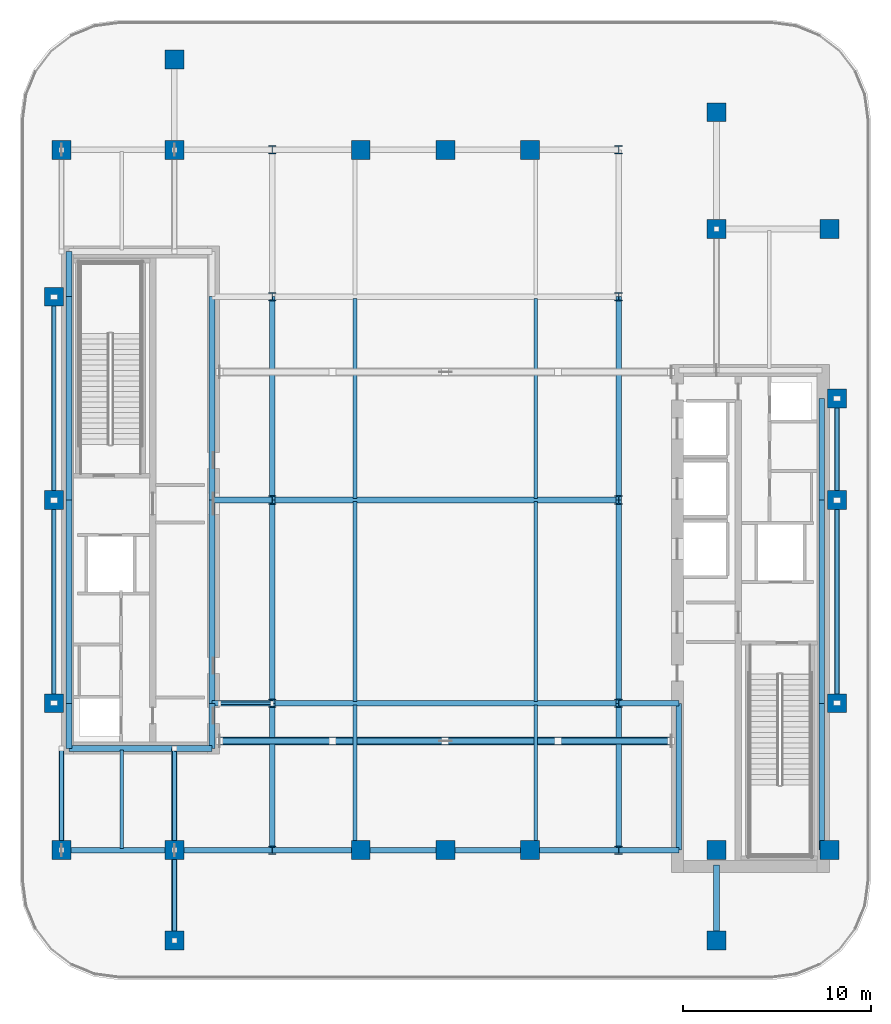
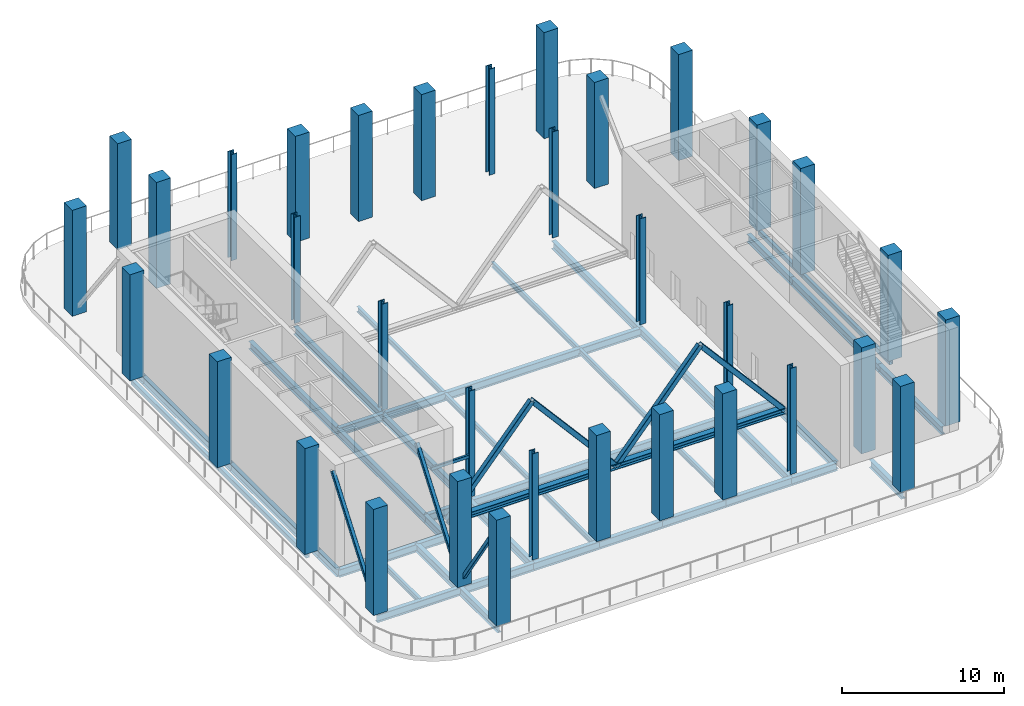
# One storey, part 1 of 12: 46 beams, 34 columns, 8 members.
"""IFC4 building model written with IfcOpenShell, lengths in metres."""

import ifcopenshell
import ifcopenshell.guid

model = None  # the IFC model being written
_history = None  # IfcOwnerHistory: only IFC2X3 demands one
_inside = {}  # id of a spatial element -> (the spatial element, [elements in it])
_under = {}  # id of a project, library or spatial element -> (it, [spatial elements below it])
_declared = {}  # id of a project -> (the project, [libraries it declares])
_typed = {}  # id of a type object -> (the type object, [elements of that type])
_made_of = {}  # id of a material, layer set ... -> (it, [elements and type objects made of it])


def new_model(schema):
    """Start an empty IFC model of exactly this schema.

    Asked for "IFC4X3", IfcOpenShell would pick the latest addendum, in which some entities
    have other attributes; the version numbers below select the first issue.
    IFC2X3 requires an IfcOwnerHistory on every rooted entity: one is made here for all.
    """
    global model, _history
    if schema == "IFC4X3":
        model = ifcopenshell.file(schema_version=(4, 3, 0, 0))
    else:
        model = ifcopenshell.file(schema=schema)
    _inside.clear()
    _under.clear()
    _declared.clear()
    _typed.clear()
    _made_of.clear()
    _history = None
    if model.schema == "IFC2X3":
        org = make("IfcOrganization", Name="unknown")
        user = make(
            "IfcPersonAndOrganization",
            ThePerson=make("IfcPerson", FamilyName="unknown"),
            TheOrganization=org,
        )
        app = make(
            "IfcApplication",
            ApplicationDeveloper=org,
            Version="unknown",
            ApplicationFullName="unknown",
            ApplicationIdentifier="unknown",
        )
        _history = make(
            "IfcOwnerHistory",
            OwningUser=user,
            OwningApplication=app,
            ChangeAction="ADDED",
            CreationDate=0,
        )
    return model


def make(cls, **values):
    """One entity of the class cls with the attributes given. An attribute that is None is left unset."""
    return model.create_entity(
        cls, **{name: value for name, value in values.items() if value is not None}
    )


def rooted(cls, **values):
    """An entity with a GlobalId (a new one), such as an element, a storey or a relation."""
    return make(cls, GlobalId=ifcopenshell.guid.new(), OwnerHistory=_history, **values)


def si_unit(unit_type, name, prefix=None):
    """IfcSIUnit, for example si_unit("LENGTHUNIT", "METRE", prefix="MILLI")."""
    return make("IfcSIUnit", UnitType=unit_type, Prefix=prefix, Name=name)


def assignment(units):
    """IfcUnitAssignment: the units of a project."""
    return None if units is None else make("IfcUnitAssignment", Units=units)


def point(xyz):
    """IfcCartesianPoint."""
    return None if xyz is None else make("IfcCartesianPoint", Coordinates=xyz)


def direction(xyz):
    """IfcDirection."""
    return None if xyz is None else make("IfcDirection", DirectionRatios=xyz)


def frame(location, z_axis=None, x_axis=None):
    """IfcAxis2Placement3D, a coordinate frame: its origin and axes. An axis left out is left unset."""
    return make(
        "IfcAxis2Placement3D",
        Location=point(location),
        Axis=direction(z_axis),
        RefDirection=direction(x_axis),
    )


def frame_2d(location, x_axis=None):
    """IfcAxis2Placement2D, a coordinate frame in the plane: its origin and x axis."""
    return make(
        "IfcAxis2Placement2D", Location=point(location), RefDirection=direction(x_axis)
    )


def origin():
    """The frame at (0, 0, 0) with its axes left unset."""
    return frame((0.0, 0.0, 0.0))


def origin_2d():
    """The frame at (0, 0) in the plane with its x axis left unset."""
    return frame_2d((0.0, 0.0))


def place(relative_to, where):
    """IfcLocalPlacement: puts the frame where relative to a parent placement (None: the world)."""
    return make(
        "IfcLocalPlacement", PlacementRelTo=relative_to, RelativePlacement=where
    )


def context(
    kind, dimensions, precision=None, world=None, true_north=None, identifier=None
):
    """IfcGeometricRepresentationContext, for example the 3D "Model" context."""
    return make(
        "IfcGeometricRepresentationContext",
        ContextIdentifier=identifier,
        ContextType=kind,
        CoordinateSpaceDimension=dimensions,
        Precision=precision,
        WorldCoordinateSystem=world,
        TrueNorth=true_north,
    )


def subcontext(parent, identifier, kind, view, scale=None):
    """IfcGeometricRepresentationSubContext, for example "Body" below "Model"."""
    return make(
        "IfcGeometricRepresentationSubContext",
        ContextIdentifier=identifier,
        ContextType=kind,
        ParentContext=parent,
        TargetScale=scale,
        TargetView=view,
    )


def project(units=None, contexts=None):
    """IfcProject with its units and contexts."""
    return rooted(
        "IfcProject",
        Name="project",
        RepresentationContexts=contexts,
        UnitsInContext=assignment(units),
    )


def spatial(cls, under=None, at=None, **own):
    """A site, building, storey or space (cls), placed at a placement, below another one or the project."""
    s = rooted(cls, ObjectPlacement=at, **own)
    if under is not None:
        _under.setdefault(under.id(), (under, []))[1].append(s)
    return s


def profile(cls, at=None, kind="AREA", **sizes):
    """A parametric profile (cls). Its sizes go by their IFC names, for example OverallWidth=200.0."""
    return make(cls, ProfileType=kind, Position=at, **sizes)


def rectangle(**sizes):
    """IfcRectangleProfileDef."""
    return profile("IfcRectangleProfileDef", **sizes)


def hollow_rectangle(**sizes):
    """IfcRectangleHollowProfileDef."""
    return profile("IfcRectangleHollowProfileDef", **sizes)


def i_section(**sizes):
    """IfcIShapeProfileDef."""
    return profile("IfcIShapeProfileDef", **sizes)


def extrude(swept, where, along, depth):
    """IfcExtrudedAreaSolid: the profile swept, set in the frame where, extruded along a direction by depth."""
    return make(
        "IfcExtrudedAreaSolid",
        SweptArea=swept,
        Position=where,
        ExtrudedDirection=direction(along),
        Depth=depth,
    )


def shape(context_of_items, identifier, shape_type, items):
    """IfcShapeRepresentation: the items that make up one representation, for example the "Body"."""
    return make(
        "IfcShapeRepresentation",
        ContextOfItems=context_of_items,
        RepresentationIdentifier=identifier,
        RepresentationType=shape_type,
        Items=items,
    )


def material(Name=None, Category=None):
    """IfcMaterial."""
    return make("IfcMaterial", Name=Name, Category=Category)


def material_profile(
    of_material, cross_section, Name=None, Category=None, Priority=None
):
    """IfcMaterialProfile: a cross section and its material."""
    return make(
        "IfcMaterialProfile",
        Name=Name,
        Material=of_material,
        Profile=cross_section,
        Priority=Priority,
        Category=Category,
    )


def profile_set(profiles, Name=None, composite=None):
    """IfcMaterialProfileSet."""
    return make(
        "IfcMaterialProfileSet",
        Name=Name,
        MaterialProfiles=profiles,
        CompositeProfile=composite,
    )


def made_of(thing, what):
    """Note that an element or type object is made of a material, layer set ...; save() writes the relation."""
    if what is not None:
        _made_of.setdefault(what.id(), (what, []))[1].append(thing)
    return thing


def type_object(cls, material=None, **own):
    """A type object (cls), such as IfcWallType, which elements share."""
    return made_of(rooted(cls, **own), material)


def element(
    cls,
    number,
    at=None,
    inside=None,
    cuts=None,
    type_object=None,
    material=None,
    context=None,
    identifier="Body",
    shape_type=None,
    held_by="IfcProductDefinitionShape",
    body=None,
    shapes=None,
    **own,
):
    """One element of the class cls, such as IfcWall. Its Tag is "e" and its number.

    at: its placement. inside: the storey or other place that contains it. cuts: it is an
    opening in that element (IfcRelVoidsElement). A single representation is given by context,
    identifier, shape_type and body (its items); several are given by shapes. held_by: the class
    of the entity that holds the representations. save() writes the other relations.
    """
    e = rooted(cls, Tag="e%d" % number, ObjectPlacement=at, **own)
    if body is not None:
        shapes = [shape(context, identifier, shape_type, body)]
    if shapes is not None:
        e.Representation = make(held_by, Representations=shapes)
    if inside is not None:
        _inside.setdefault(inside.id(), (inside, []))[1].append(e)
    if cuts is not None:
        rooted(
            "IfcRelVoidsElement", RelatingBuildingElement=cuts, RelatedOpeningElement=e
        )
    if type_object is not None:
        _typed.setdefault(type_object.id(), (type_object, []))[1].append(e)
    return made_of(e, material)


def aggregate(whole, parts):
    """IfcRelAggregates: a whole, such as a stair, and the parts it consists of."""
    return rooted("IfcRelAggregates", RelatingObject=whole, RelatedObjects=parts)


def save(model, path):
    """Write the relations noted so far, then the file.

    IfcRelAggregates (storeys below a building ...), IfcRelContainedInSpatialStructure (elements
    in a storey), IfcRelDefinesByType, IfcRelAssociatesMaterial and IfcRelDeclares: one each for
    every whole, place, type object, material and project.
    """
    for whole, parts in _under.values():
        aggregate(whole, parts)
    for where, things in _inside.values():
        rooted(
            "IfcRelContainedInSpatialStructure",
            RelatedElements=things,
            RelatingStructure=where,
        )
    for kind, things in _typed.values():
        rooted("IfcRelDefinesByType", RelatedObjects=things, RelatingType=kind)
    for what, things in _made_of.values():
        rooted("IfcRelAssociatesMaterial", RelatedObjects=things, RelatingMaterial=what)
    for by, libraries in _declared.values():
        rooted("IfcRelDeclares", RelatingContext=by, RelatedDefinitions=libraries)
    model.write(path)


model = new_model("IFC4")

# Units and contexts
model_context = context("Model", 3, precision=1e-05, world=origin(), true_north=direction((0.0, 1.0)))
body_context = subcontext(model_context, "Body", "Model", "MODEL_VIEW")
ifc_project = project(units=[si_unit("LENGTHUNIT", "METRE"), si_unit("AREAUNIT", "SQUARE_METRE"), si_unit("VOLUMEUNIT", "CUBIC_METRE"), si_unit("PLANEANGLEUNIT", "RADIAN"), si_unit("MASSUNIT", "GRAM", prefix="KILO")], contexts=[model_context])

# Site, building, storey
site_placement = place(None, origin())
site = spatial("IfcSite", under=ifc_project, at=site_placement, CompositionType="ELEMENT")
building_placement = place(site_placement, origin())
building = spatial("IfcBuilding", under=site, at=building_placement, Name="Khairoan Windgate Tower", CompositionType="ELEMENT")
storey_placement = place(building_placement, frame((0.0, 0.0, 214.39990234375)))
storey = spatial("IfcBuildingStorey", under=building, at=storey_placement, Name="L50", CompositionType="ELEMENT", Elevation=214.39990234375)

# Columns
ifc_material_1 = material(Name="Concrete C50/60", Category="concrete")
ifc_material_profile_1 = material_profile(ifc_material_1, rectangle(XDim=1.0, YDim=1.0, at=origin_2d()))
ifc_profile_set_1 = profile_set([ifc_material_profile_1], Name="Concrete C50/60")
column_type_1 = type_object("IfcColumnType", Name="Column C-T4 RC1000x1000", PredefinedType="COLUMN", material=ifc_profile_set_1)
for number, where, z_axis, x_axis, name in (
    (1, (-20.39990234375, -18.60009765625, 0.0), (0.0, 0.0, 1.0), (1.0, 0.0, 0.0), "Column L50-11"),
    (2, (-20.39990234375, 18.60009765625, 0.0), (0.0, 0.0, 1.0), (1.0, 0.0, 0.0), "Column L50-12"),
    (3, (20.39990234375, -18.60009765625, 0.0), (0.0, 0.0, 1.0), (1.0, 0.0, 0.0), "Column L50-13"),
    (4, (20.39990234375, 14.39990234375, 0.0), (0.0, 0.0, 1.0), (1.0, 0.0, 0.0), "Column L50-14"),
    (5, (-14.39990234375, -18.60009765625, 0.0), (0.0, 0.0, 1.0), (1.0, 0.0, 0.0), "Column L50-15"),
    (6, (-14.39990234375, 18.60009765625, 0.0), (0.0, 0.0, 1.0), (1.0, 0.0, 0.0), "Column L50-16"),
    (7, (14.39990234375, -18.60009765625, 0.0), (0.0, 0.0, 1.0), (1.0, 0.0, 0.0), "Column L50-17"),
    (8, (14.39990234375, 14.39990234375, 0.0), (0.0, 0.0, 1.0), (1.0, 0.0, 0.0), "Column L50-18"),
    (9, (-4.5, -18.60009765625, 0.0), (0.0, 0.0, 1.0), (1.0, 0.0, 0.0), "Column L50-19"),
    (10, (0.0, -18.60009765625, 0.0), (0.0, 0.0, 1.0), (1.0, 0.0, 0.0), "Column L50-20"),
    (11, (4.5, -18.60009765625, 0.0), (0.0, 0.0, 1.0), (1.0, 0.0, 0.0), "Column L50-21"),
    (12, (-4.5, 18.60009765625, 0.0), (0.0, 0.0, 1.0), (1.0, 0.0, 0.0), "Column L50-22"),
    (13, (0.0, 18.60009765625, 0.0), (0.0, 0.0, 1.0), (1.0, 0.0, 0.0), "Column L50-23"),
    (14, (4.5, 18.60009765625, 0.0), (0.0, 0.0, 1.0), (1.0, 0.0, 0.0), "Column L50-24"),
    (15, (-20.800048828125, -10.800048828125, 0.0), (0.0, 0.0, 1.0), (1.0, 0.0, 0.0), "Column L50-25"),
    (16, (-20.800048828125, 0.0, 0.0), (0.0, 0.0, 1.0), (1.0, 0.0, 0.0), "Column L50-26"),
    (17, (-20.800048828125, 10.800048828125, 0.0), (0.0, 0.0, 1.0), (1.0, 0.0, 0.0), "Column L50-27"),
    (18, (20.800048828125, -10.800048828125, 0.0), (0.0, 0.0, 1.0), (1.0, 0.0, 0.0), "Column L50-28"),
    (19, (20.800048828125, 0.0, 0.0), (0.0, 0.0, 1.0), (1.0, 0.0, 0.0), "Column L50-29"),
    (20, (20.800048828125, 5.39990234375, 0.0), (0.0, 0.0, 1.0), (1.0, 0.0, 0.0), "Column L50-30"),
    (21, (-14.39990234375, -23.39990234375, 0.0), (0.0, 0.0, 1.0), (1.0, 0.0, 0.0), "Column L50-31"),
    (22, (-14.39990234375, 23.39990234375, 0.0), (0.0, 0.0, 1.0), (1.0, 0.0, 0.0), "Column L50-32"),
    (23, (14.39990234375, -23.39990234375, 0.0), (0.0, 0.0, 1.0), (1.0, 0.0, 0.0), "Column L50-33"),
    (24, (14.39990234375, 20.60009765625, 0.0), (0.0, 0.0, 1.0), (1.0, 0.0, 0.0), "Column L50-34"),
):
    element("IfcColumn", number, at=place(storey_placement, frame(where, z_axis=z_axis, x_axis=x_axis)), inside=storey, type_object=column_type_1, Name=name, PredefinedType="COLUMN", context=body_context, shape_type="SweptSolid", body=[
        extrude(rectangle(XDim=1.0, YDim=1.0, at=origin_2d()), origin(), (0.0, 0.0, 1.0), 8.0),
    ])
ifc_material_2 = material(Name="Steel S355", Category="steel")
ifc_material_profile_2 = material_profile(ifc_material_2, i_section(OverallWidth=0.4169921875, OverallDepth=0.4580078125, WebThickness=0.030029296875, FlangeThickness=0.050048828125, FilletRadius=0.02197265625, at=origin_2d()))
ifc_profile_set_2 = profile_set([ifc_material_profile_2], Name="Steel S355")
column_type_2 = type_object("IfcColumnType", Name="Steel Column SC2 H458x417x30x50", PredefinedType="COLUMN", material=ifc_profile_set_2)
for number, where, z_axis, x_axis, name in (
    (25, (-9.199951171875, -18.60009765625, 0.0), (0.0, 0.0, 1.0), (1.0, 0.0, 0.0), "Column L50-01"),
    (26, (-9.199951171875, -10.800048828125, 0.0), (0.0, 0.0, 1.0), (1.0, 0.0, 0.0), "Column L50-02"),
    (27, (-9.199951171875, 0.0, 0.0), (0.0, 0.0, 1.0), (1.0, 0.0, 0.0), "Column L50-03"),
    (28, (-9.199951171875, 10.800048828125, 0.0), (0.0, 0.0, 1.0), (1.0, 0.0, 0.0), "Column L50-04"),
    (29, (-9.199951171875, 18.60009765625, 0.0), (0.0, 0.0, 1.0), (1.0, 0.0, 0.0), "Column L50-05"),
    (30, (9.199951171875, -18.60009765625, 0.0), (0.0, 0.0, 1.0), (1.0, 0.0, 0.0), "Column L50-06"),
    (31, (9.199951171875, -10.800048828125, 0.0), (0.0, 0.0, 1.0), (1.0, 0.0, 0.0), "Column L50-07"),
    (32, (9.199951171875, 0.0, 0.0), (0.0, 0.0, 1.0), (1.0, 0.0, 0.0), "Column L50-08"),
    (33, (9.199951171875, 10.800048828125, 0.0), (0.0, 0.0, 1.0), (1.0, 0.0, 0.0), "Column L50-09"),
    (34, (9.199951171875, 18.60009765625, 0.0), (0.0, 0.0, 1.0), (1.0, 0.0, 0.0), "Column L50-10"),
):
    element("IfcColumn", number, at=place(storey_placement, frame(where, z_axis=z_axis, x_axis=x_axis)), inside=storey, type_object=column_type_2, Name=name, PredefinedType="COLUMN", context=body_context, shape_type="SweptSolid", body=[
        extrude(i_section(OverallWidth=0.4169921875, OverallDepth=0.4580078125, WebThickness=0.030029296875, FlangeThickness=0.050048828125, FilletRadius=0.02197265625, at=origin_2d()), origin(), (0.0, 0.0, 1.0), 8.0),
    ])

# Beams
ifc_material_3 = material(Name="Steel S355", Category="steel")
ifc_material_profile_3 = material_profile(ifc_material_3, i_section(OverallWidth=0.300048828125, OverallDepth=0.587890625, WebThickness=0.011962890625, FlangeThickness=0.02001953125, FilletRadius=0.02392578125, at=origin_2d()))
ifc_profile_set_3 = profile_set([ifc_material_profile_3], Name="Steel S355")
beam_type_1 = type_object("IfcBeamType", Name="Beam B-G4 H588x300x12x20", PredefinedType="BEAM", material=ifc_profile_set_3)
beam_1_placement = place(storey_placement, frame((-20.39990234375, -18.60009765625, -0.643798828125), z_axis=(1.0, 0.0, 0.0), x_axis=(0.0, 1.0, 0.0)))
element("IfcBeam", 35, at=beam_1_placement, inside=storey, type_object=beam_type_1, Name="L50 E-W Primary Girder 01", PredefinedType="BEAM", context=body_context, shape_type="SweptSolid", body=[
    extrude(i_section(OverallWidth=0.300048828125, OverallDepth=0.587890625, WebThickness=0.011962890625, FlangeThickness=0.02001953125, FilletRadius=0.02392578125, at=origin_2d()), origin(), (0.0, 0.0, 1.0), 6.0),
])
beam_2_placement = place(storey_placement, frame((-14.39990234375, -18.60009765625, -0.643798828125), z_axis=(1.0, 0.0, 0.0), x_axis=(0.0, 1.0, 0.0)))
element("IfcBeam", 36, at=beam_2_placement, inside=storey, type_object=beam_type_1, Name="L50 E-W Primary Girder 02", PredefinedType="BEAM", context=body_context, shape_type="SweptSolid", body=[
    extrude(i_section(OverallWidth=0.300048828125, OverallDepth=0.587890625, WebThickness=0.011962890625, FlangeThickness=0.02001953125, FilletRadius=0.02392578125, at=origin_2d()), origin(), (0.0, 0.0, 1.0), 5.199951171875),
])
beam_3_placement = place(storey_placement, frame((-9.199951171875, -18.60009765625, -0.643798828125), z_axis=(1.0, 0.0, 0.0), x_axis=(0.0, 1.0, 0.0)))
element("IfcBeam", 37, at=beam_3_placement, inside=storey, type_object=beam_type_1, Name="L50 E-W Primary Girder 03", PredefinedType="BEAM", context=body_context, shape_type="SweptSolid", body=[
    extrude(i_section(OverallWidth=0.300048828125, OverallDepth=0.587890625, WebThickness=0.011962890625, FlangeThickness=0.02001953125, FilletRadius=0.02392578125, at=origin_2d()), origin(), (0.0, 0.0, 1.0), 4.699951171875),
])
for number, where, z_axis, x_axis, name in (
    (38, (-4.5, -18.60009765625, -0.643798828125), (1.0, 0.0, 0.0), (0.0, 1.0, 0.0), "L50 E-W Primary Girder 04"),
    (39, (0.0, -18.60009765625, -0.643798828125), (1.0, 0.0, 0.0), (0.0, 1.0, 0.0), "L50 E-W Primary Girder 05"),
):
    element("IfcBeam", number, at=place(storey_placement, frame(where, z_axis=z_axis, x_axis=x_axis)), inside=storey, type_object=beam_type_1, Name=name, PredefinedType="BEAM", context=body_context, shape_type="SweptSolid", body=[
        extrude(i_section(OverallWidth=0.300048828125, OverallDepth=0.587890625, WebThickness=0.011962890625, FlangeThickness=0.02001953125, FilletRadius=0.02392578125, at=origin_2d()), origin(), (0.0, 0.0, 1.0), 4.5),
    ])
beam_4_placement = place(storey_placement, frame((4.5, -18.60009765625, -0.643798828125), z_axis=(1.0, 0.0, 0.0), x_axis=(0.0, 1.0, 0.0)))
element("IfcBeam", 40, at=beam_4_placement, inside=storey, type_object=beam_type_1, Name="L50 E-W Primary Girder 06", PredefinedType="BEAM", context=body_context, shape_type="SweptSolid", body=[
    extrude(i_section(OverallWidth=0.300048828125, OverallDepth=0.587890625, WebThickness=0.011962890625, FlangeThickness=0.02001953125, FilletRadius=0.02392578125, at=origin_2d()), origin(), (0.0, 0.0, 1.0), 4.699951171875),
])
beam_5_placement = place(storey_placement, frame((9.199951171875, -18.60009765625, -0.643798828125), z_axis=(1.0, 0.0, 0.0), x_axis=(0.0, 1.0, 0.0)))
element("IfcBeam", 41, at=beam_5_placement, inside=storey, type_object=beam_type_1, Name="L50 E-W Primary Girder 07", PredefinedType="BEAM", context=body_context, shape_type="SweptSolid", body=[
    extrude(i_section(OverallWidth=0.300048828125, OverallDepth=0.587890625, WebThickness=0.011962890625, FlangeThickness=0.02001953125, FilletRadius=0.02392578125, at=origin_2d()), origin(), (0.0, 0.0, 1.0), 3.199951171875),
])
beam_6_placement = place(storey_placement, frame((-20.0, -13.199951171875, -0.643798828125), z_axis=(1.0, 0.0, 0.0), x_axis=(0.0, 1.0, 0.0)))
element("IfcBeam", 42, at=beam_6_placement, inside=storey, type_object=beam_type_1, Name="L50 E-W Primary Girder 08", PredefinedType="BEAM", context=body_context, shape_type="SweptSolid", body=[
    extrude(i_section(OverallWidth=0.300048828125, OverallDepth=0.587890625, WebThickness=0.011962890625, FlangeThickness=0.02001953125, FilletRadius=0.02392578125, at=origin_2d()), origin(), (0.0, 0.0, 1.0), 5.60009765625),
])
beam_7_placement = place(storey_placement, frame((-14.39990234375, -13.199951171875, -0.643798828125), z_axis=(1.0, 0.0, 0.0), x_axis=(0.0, 1.0, 0.0)))
element("IfcBeam", 43, at=beam_7_placement, inside=storey, type_object=beam_type_1, Name="L50 E-W Primary Girder 09", PredefinedType="BEAM", context=body_context, shape_type="SweptSolid", body=[
    extrude(i_section(OverallWidth=0.300048828125, OverallDepth=0.587890625, WebThickness=0.011962890625, FlangeThickness=0.02001953125, FilletRadius=0.02392578125, at=origin_2d()), origin(), (0.0, 0.0, 1.0), 2.0),
])
beam_8_placement = place(storey_placement, frame((-12.39990234375, -10.800048828125, -0.643798828125), z_axis=(1.0, 0.0, 0.0), x_axis=(0.0, 1.0, 0.0)))
element("IfcBeam", 44, at=beam_8_placement, inside=storey, type_object=beam_type_1, Name="L50 E-W Primary Girder 10", PredefinedType="BEAM", context=body_context, shape_type="SweptSolid", body=[
    extrude(i_section(OverallWidth=0.300048828125, OverallDepth=0.587890625, WebThickness=0.011962890625, FlangeThickness=0.02001953125, FilletRadius=0.02392578125, at=origin_2d()), origin(), (0.0, 0.0, 1.0), 3.199951171875),
])
beam_9_placement = place(storey_placement, frame((-9.199951171875, -10.800048828125, -0.643798828125), z_axis=(1.0, 0.0, 0.0), x_axis=(0.0, 1.0, 0.0)))
element("IfcBeam", 45, at=beam_9_placement, inside=storey, type_object=beam_type_1, Name="L50 E-W Primary Girder 11", PredefinedType="BEAM", context=body_context, shape_type="SweptSolid", body=[
    extrude(i_section(OverallWidth=0.300048828125, OverallDepth=0.587890625, WebThickness=0.011962890625, FlangeThickness=0.02001953125, FilletRadius=0.02392578125, at=origin_2d()), origin(), (0.0, 0.0, 1.0), 18.39990234375),
])
for number, where, z_axis, x_axis, name in (
    (46, (9.199951171875, -10.800048828125, -0.643798828125), (1.0, 0.0, 0.0), (0.0, 1.0, 0.0), "L50 E-W Primary Girder 12"),
    (47, (-12.39990234375, 0.0, -0.643798828125), (1.0, 0.0, 0.0), (0.0, 1.0, 0.0), "L50 E-W Primary Girder 13"),
):
    element("IfcBeam", number, at=place(storey_placement, frame(where, z_axis=z_axis, x_axis=x_axis)), inside=storey, type_object=beam_type_1, Name=name, PredefinedType="BEAM", context=body_context, shape_type="SweptSolid", body=[
        extrude(i_section(OverallWidth=0.300048828125, OverallDepth=0.587890625, WebThickness=0.011962890625, FlangeThickness=0.02001953125, FilletRadius=0.02392578125, at=origin_2d()), origin(), (0.0, 0.0, 1.0), 3.199951171875),
    ])
beam_10_placement = place(storey_placement, frame((-9.199951171875, 0.0, -0.643798828125), z_axis=(1.0, 0.0, 0.0), x_axis=(0.0, 1.0, 0.0)))
element("IfcBeam", 48, at=beam_10_placement, inside=storey, type_object=beam_type_1, Name="L50 E-W Primary Girder 14", PredefinedType="BEAM", context=body_context, shape_type="SweptSolid", body=[
    extrude(i_section(OverallWidth=0.300048828125, OverallDepth=0.587890625, WebThickness=0.011962890625, FlangeThickness=0.02001953125, FilletRadius=0.02392578125, at=origin_2d()), origin(), (0.0, 0.0, 1.0), 18.39990234375),
])
beam_11_placement = place(storey_placement, frame((-20.0, -13.199951171875, -0.643798828125), z_axis=(0.0, 1.0, 0.0), x_axis=(-1.0, 0.0, 0.0)))
element("IfcBeam", 49, at=beam_11_placement, inside=storey, type_object=beam_type_1, Name="L50 N-S Primary Beam 30", PredefinedType="BEAM", context=body_context, shape_type="SweptSolid", body=[
    extrude(i_section(OverallWidth=0.300048828125, OverallDepth=0.587890625, WebThickness=0.011962890625, FlangeThickness=0.02001953125, FilletRadius=0.02392578125, at=origin_2d()), origin(), (0.0, 0.0, 1.0), 2.39990234375),
])
for number, where, z_axis, x_axis, name in (
    (50, (-20.0, -10.800048828125, -0.643798828125), (0.0, 1.0, 0.0), (-1.0, 0.0, 0.0), "L50 N-S Primary Beam 31"),
    (51, (-20.0, 0.0, -0.643798828125), (0.0, 1.0, 0.0), (-1.0, 0.0, 0.0), "L50 N-S Primary Beam 32"),
):
    element("IfcBeam", number, at=place(storey_placement, frame(where, z_axis=z_axis, x_axis=x_axis)), inside=storey, type_object=beam_type_1, Name=name, PredefinedType="BEAM", context=body_context, shape_type="SweptSolid", body=[
        extrude(i_section(OverallWidth=0.300048828125, OverallDepth=0.587890625, WebThickness=0.011962890625, FlangeThickness=0.02001953125, FilletRadius=0.02392578125, at=origin_2d()), origin(), (0.0, 0.0, 1.0), 10.800048828125),
    ])
beam_12_placement = place(storey_placement, frame((-20.0, 10.800048828125, -0.643798828125), z_axis=(0.0, 1.0, 0.0), x_axis=(-1.0, 0.0, 0.0)))
element("IfcBeam", 52, at=beam_12_placement, inside=storey, type_object=beam_type_1, Name="L50 N-S Primary Beam 33", PredefinedType="BEAM", context=body_context, shape_type="SweptSolid", body=[
    extrude(i_section(OverallWidth=0.300048828125, OverallDepth=0.587890625, WebThickness=0.011962890625, FlangeThickness=0.02001953125, FilletRadius=0.02392578125, at=origin_2d()), origin(), (0.0, 0.0, 1.0), 2.39990234375),
])
beam_13_placement = place(storey_placement, frame((-14.39990234375, -23.39990234375, -0.643798828125), z_axis=(0.0, 1.0, 0.0), x_axis=(-1.0, 0.0, 0.0)))
element("IfcBeam", 53, at=beam_13_placement, inside=storey, type_object=beam_type_1, Name="L50 N-S Primary Beam 34", PredefinedType="BEAM", context=body_context, shape_type="SweptSolid", body=[
    extrude(i_section(OverallWidth=0.300048828125, OverallDepth=0.587890625, WebThickness=0.011962890625, FlangeThickness=0.02001953125, FilletRadius=0.02392578125, at=origin_2d()), origin(), (0.0, 0.0, 1.0), 4.7998046875),
])
beam_14_placement = place(storey_placement, frame((-14.39990234375, -18.60009765625, -0.643798828125), z_axis=(0.0, 1.0, 0.0), x_axis=(-1.0, 0.0, 0.0)))
element("IfcBeam", 54, at=beam_14_placement, inside=storey, type_object=beam_type_1, Name="L50 N-S Primary Beam 35", PredefinedType="BEAM", context=body_context, shape_type="SweptSolid", body=[
    extrude(i_section(OverallWidth=0.300048828125, OverallDepth=0.587890625, WebThickness=0.011962890625, FlangeThickness=0.02001953125, FilletRadius=0.02392578125, at=origin_2d()), origin(), (0.0, 0.0, 1.0), 5.400146484375),
])
beam_15_placement = place(storey_placement, frame((-12.39990234375, -13.199951171875, -0.643798828125), z_axis=(0.0, 1.0, 0.0), x_axis=(-1.0, 0.0, 0.0)))
element("IfcBeam", 55, at=beam_15_placement, inside=storey, type_object=beam_type_1, Name="L50 N-S Primary Beam 38", PredefinedType="BEAM", context=body_context, shape_type="SweptSolid", body=[
    extrude(i_section(OverallWidth=0.300048828125, OverallDepth=0.587890625, WebThickness=0.011962890625, FlangeThickness=0.02001953125, FilletRadius=0.02392578125, at=origin_2d()), origin(), (0.0, 0.0, 1.0), 2.39990234375),
])
for number, where, z_axis, x_axis, name in (
    (56, (-12.39990234375, -10.800048828125, -0.643798828125), (0.0, 1.0, 0.0), (-1.0, 0.0, 0.0), "L50 N-S Primary Beam 39"),
    (57, (-12.39990234375, 0.0, -0.643798828125), (0.0, 1.0, 0.0), (-1.0, 0.0, 0.0), "L50 N-S Primary Beam 40"),
):
    element("IfcBeam", number, at=place(storey_placement, frame(where, z_axis=z_axis, x_axis=x_axis)), inside=storey, type_object=beam_type_1, Name=name, PredefinedType="BEAM", context=body_context, shape_type="SweptSolid", body=[
        extrude(i_section(OverallWidth=0.300048828125, OverallDepth=0.587890625, WebThickness=0.011962890625, FlangeThickness=0.02001953125, FilletRadius=0.02392578125, at=origin_2d()), origin(), (0.0, 0.0, 1.0), 10.800048828125),
    ])
beam_16_placement = place(storey_placement, frame((-9.199951171875, -18.60009765625, -0.643798828125), z_axis=(0.0, 1.0, 0.0), x_axis=(-1.0, 0.0, 0.0)))
element("IfcBeam", 58, at=beam_16_placement, inside=storey, type_object=beam_type_1, Name="L50 N-S Primary Beam 42", PredefinedType="BEAM", context=body_context, shape_type="SweptSolid", body=[
    extrude(i_section(OverallWidth=0.300048828125, OverallDepth=0.587890625, WebThickness=0.011962890625, FlangeThickness=0.02001953125, FilletRadius=0.02392578125, at=origin_2d()), origin(), (0.0, 0.0, 1.0), 7.800048828125),
])
for number, where, z_axis, x_axis, name in (
    (59, (-9.199951171875, -10.800048828125, -0.643798828125), (0.0, 1.0, 0.0), (-1.0, 0.0, 0.0), "L50 N-S Primary Beam 43"),
    (60, (-9.199951171875, 0.0, -0.643798828125), (0.0, 1.0, 0.0), (-1.0, 0.0, 0.0), "L50 N-S Primary Beam 44"),
):
    element("IfcBeam", number, at=place(storey_placement, frame(where, z_axis=z_axis, x_axis=x_axis)), inside=storey, type_object=beam_type_1, Name=name, PredefinedType="BEAM", context=body_context, shape_type="SweptSolid", body=[
        extrude(i_section(OverallWidth=0.300048828125, OverallDepth=0.587890625, WebThickness=0.011962890625, FlangeThickness=0.02001953125, FilletRadius=0.02392578125, at=origin_2d()), origin(), (0.0, 0.0, 1.0), 10.800048828125),
    ])
beam_17_placement = place(storey_placement, frame((9.199951171875, -18.60009765625, -0.643798828125), z_axis=(0.0, 1.0, 0.0), x_axis=(-1.0, 0.0, 0.0)))
element("IfcBeam", 61, at=beam_17_placement, inside=storey, type_object=beam_type_1, Name="L50 N-S Primary Beam 46", PredefinedType="BEAM", context=body_context, shape_type="SweptSolid", body=[
    extrude(i_section(OverallWidth=0.300048828125, OverallDepth=0.587890625, WebThickness=0.011962890625, FlangeThickness=0.02001953125, FilletRadius=0.02392578125, at=origin_2d()), origin(), (0.0, 0.0, 1.0), 7.800048828125),
])
for number, where, z_axis, x_axis, name in (
    (62, (9.199951171875, -10.800048828125, -0.643798828125), (0.0, 1.0, 0.0), (-1.0, 0.0, 0.0), "L50 N-S Primary Beam 47"),
    (63, (9.199951171875, 0.0, -0.643798828125), (0.0, 1.0, 0.0), (-1.0, 0.0, 0.0), "L50 N-S Primary Beam 48"),
):
    element("IfcBeam", number, at=place(storey_placement, frame(where, z_axis=z_axis, x_axis=x_axis)), inside=storey, type_object=beam_type_1, Name=name, PredefinedType="BEAM", context=body_context, shape_type="SweptSolid", body=[
        extrude(i_section(OverallWidth=0.300048828125, OverallDepth=0.587890625, WebThickness=0.011962890625, FlangeThickness=0.02001953125, FilletRadius=0.02392578125, at=origin_2d()), origin(), (0.0, 0.0, 1.0), 10.800048828125),
    ])
beam_18_placement = place(storey_placement, frame((12.39990234375, -18.60009765625, -0.643798828125), z_axis=(0.0, 1.0, 0.0), x_axis=(-1.0, 0.0, 0.0)))
element("IfcBeam", 64, at=beam_18_placement, inside=storey, type_object=beam_type_1, Name="L50 N-S Primary Beam 50", PredefinedType="BEAM", context=body_context, shape_type="SweptSolid", body=[
    extrude(i_section(OverallWidth=0.300048828125, OverallDepth=0.587890625, WebThickness=0.011962890625, FlangeThickness=0.02001953125, FilletRadius=0.02392578125, at=origin_2d()), origin(), (0.0, 0.0, 1.0), 7.800048828125),
])
beam_19_placement = place(storey_placement, frame((14.39990234375, -23.39990234375, -0.643798828125), z_axis=(0.0, 1.0, 0.0), x_axis=(-1.0, 0.0, 0.0)))
element("IfcBeam", 65, at=beam_19_placement, inside=storey, type_object=beam_type_1, Name="L50 N-S Primary Beam 51", PredefinedType="BEAM", context=body_context, shape_type="SweptSolid", body=[
    extrude(i_section(OverallWidth=0.300048828125, OverallDepth=0.587890625, WebThickness=0.011962890625, FlangeThickness=0.02001953125, FilletRadius=0.02392578125, at=origin_2d()), origin(), (0.0, 0.0, 1.0), 4.0),
])
beam_20_placement = place(storey_placement, frame((20.0, -18.60009765625, -0.643798828125), z_axis=(0.0, 1.0, 0.0), x_axis=(-1.0, 0.0, 0.0)))
element("IfcBeam", 66, at=beam_20_placement, inside=storey, type_object=beam_type_1, Name="L50 N-S Primary Beam 54", PredefinedType="BEAM", context=body_context, shape_type="SweptSolid", body=[
    extrude(i_section(OverallWidth=0.300048828125, OverallDepth=0.587890625, WebThickness=0.011962890625, FlangeThickness=0.02001953125, FilletRadius=0.02392578125, at=origin_2d()), origin(), (0.0, 0.0, 1.0), 7.800048828125),
])
beam_21_placement = place(storey_placement, frame((20.0, -10.800048828125, -0.643798828125), z_axis=(0.0, 1.0, 0.0), x_axis=(-1.0, 0.0, 0.0)))
element("IfcBeam", 67, at=beam_21_placement, inside=storey, type_object=beam_type_1, Name="L50 N-S Primary Beam 55", PredefinedType="BEAM", context=body_context, shape_type="SweptSolid", body=[
    extrude(i_section(OverallWidth=0.300048828125, OverallDepth=0.587890625, WebThickness=0.011962890625, FlangeThickness=0.02001953125, FilletRadius=0.02392578125, at=origin_2d()), origin(), (0.0, 0.0, 1.0), 10.800048828125),
])
beam_22_placement = place(storey_placement, frame((20.0, 0.0, -0.643798828125), z_axis=(0.0, 1.0, 0.0), x_axis=(-1.0, 0.0, 0.0)))
element("IfcBeam", 68, at=beam_22_placement, inside=storey, type_object=beam_type_1, Name="L50 N-S Primary Beam 56", PredefinedType="BEAM", context=body_context, shape_type="SweptSolid", body=[
    extrude(i_section(OverallWidth=0.300048828125, OverallDepth=0.587890625, WebThickness=0.011962890625, FlangeThickness=0.02001953125, FilletRadius=0.02392578125, at=origin_2d()), origin(), (0.0, 0.0, 1.0), 5.39990234375),
])
ifc_material_4 = material(Name="Steel S355", Category="steel")
ifc_material_profile_4 = material_profile(ifc_material_4, i_section(OverallWidth=0.199951171875, OverallDepth=0.39990234375, WebThickness=0.008056640625, FlangeThickness=0.012939453125, FilletRadius=0.01611328125, at=origin_2d()))
ifc_profile_set_4 = profile_set([ifc_material_profile_4], Name="Steel S355")
beam_type_2 = type_object("IfcBeamType", Name="Beam J-S4 H400x200x8x13", PredefinedType="JOIST", material=ifc_profile_set_4)
beam_23_placement = place(storey_placement, frame((-17.199951171875, -18.510009765625, -0.5498046875), z_axis=(0.0, 1.0, 0.0), x_axis=(-1.0, 0.0, 0.0)))
element("IfcBeam", 69, at=beam_23_placement, inside=storey, type_object=beam_type_2, Name="L50 Secondary Floor Joist 01", PredefinedType="JOIST", context=body_context, shape_type="SweptSolid", body=[
    extrude(i_section(OverallWidth=0.199951171875, OverallDepth=0.39990234375, WebThickness=0.008056640625, FlangeThickness=0.012939453125, FilletRadius=0.01611328125, at=origin_2d()), origin(), (0.0, 0.0, 1.0), 5.219970703125),
])
beam_24_placement = place(storey_placement, frame((-4.800048828125, -18.510009765625, -0.5498046875), z_axis=(0.0, 1.0, 0.0), x_axis=(-1.0, 0.0, 0.0)))
element("IfcBeam", 70, at=beam_24_placement, inside=storey, type_object=beam_type_2, Name="L50 Secondary Floor Joist 03", PredefinedType="JOIST", context=body_context, shape_type="SweptSolid", body=[
    extrude(i_section(OverallWidth=0.199951171875, OverallDepth=0.39990234375, WebThickness=0.008056640625, FlangeThickness=0.012939453125, FilletRadius=0.01611328125, at=origin_2d()), origin(), (0.0, 0.0, 1.0), 7.6201171875),
])
for number, where, z_axis, x_axis, name in (
    (71, (-4.800048828125, -10.7099609375, -0.5498046875), (0.0, 1.0, 0.0), (-1.0, 0.0, 0.0), "L50 Secondary Floor Joist 04"),
    (72, (-4.800048828125, 0.090087890625, -0.5498046875), (0.0, 1.0, 0.0), (-1.0, 0.0, 0.0), "L50 Secondary Floor Joist 05"),
):
    element("IfcBeam", number, at=place(storey_placement, frame(where, z_axis=z_axis, x_axis=x_axis)), inside=storey, type_object=beam_type_2, Name=name, PredefinedType="JOIST", context=body_context, shape_type="SweptSolid", body=[
        extrude(i_section(OverallWidth=0.199951171875, OverallDepth=0.39990234375, WebThickness=0.008056640625, FlangeThickness=0.012939453125, FilletRadius=0.01611328125, at=origin_2d()), origin(), (0.0, 0.0, 1.0), 10.619873046875),
    ])
beam_25_placement = place(storey_placement, frame((4.800048828125, -18.510009765625, -0.5498046875), z_axis=(0.0, 1.0, 0.0), x_axis=(-1.0, 0.0, 0.0)))
element("IfcBeam", 73, at=beam_25_placement, inside=storey, type_object=beam_type_2, Name="L50 Secondary Floor Joist 07", PredefinedType="JOIST", context=body_context, shape_type="SweptSolid", body=[
    extrude(i_section(OverallWidth=0.199951171875, OverallDepth=0.39990234375, WebThickness=0.008056640625, FlangeThickness=0.012939453125, FilletRadius=0.01611328125, at=origin_2d()), origin(), (0.0, 0.0, 1.0), 7.6201171875),
])
for number, where, z_axis, x_axis, name in (
    (74, (4.800048828125, -10.7099609375, -0.5498046875), (0.0, 1.0, 0.0), (-1.0, 0.0, 0.0), "L50 Secondary Floor Joist 08"),
    (75, (4.800048828125, 0.090087890625, -0.5498046875), (0.0, 1.0, 0.0), (-1.0, 0.0, 0.0), "L50 Secondary Floor Joist 09"),
):
    element("IfcBeam", number, at=place(storey_placement, frame(where, z_axis=z_axis, x_axis=x_axis)), inside=storey, type_object=beam_type_2, Name=name, PredefinedType="JOIST", context=body_context, shape_type="SweptSolid", body=[
        extrude(i_section(OverallWidth=0.199951171875, OverallDepth=0.39990234375, WebThickness=0.008056640625, FlangeThickness=0.012939453125, FilletRadius=0.01611328125, at=origin_2d()), origin(), (0.0, 0.0, 1.0), 10.619873046875),
    ])
ifc_material_5 = material(Name="Steel S355", Category="steel")
ifc_material_profile_5 = material_profile(ifc_material_5, hollow_rectangle(XDim=0.14990234375, YDim=0.25, WallThickness=0.010009765625, InnerFilletRadius=0.010009765625, OuterFilletRadius=0.02001953125, at=origin_2d()))
ifc_profile_set_5 = profile_set([ifc_material_profile_5], Name="Steel S355")
beam_type_3 = type_object("IfcBeamType", Name="Beam LN-B1 RHS250x150x10", PredefinedType="LINTEL", material=ifc_profile_set_5)
beam_26_placement = place(storey_placement, frame((-12.02001953125, -10.800048828125, 2.9501953125), z_axis=(1.0, 0.0, 0.0), x_axis=(0.0, 1.0, 0.0)))
element("IfcBeam", 76, at=beam_26_placement, inside=storey, type_object=beam_type_3, Name="Core Lobby Opening Lintel L50", PredefinedType="LINTEL", context=body_context, shape_type="SweptSolid", body=[
    extrude(hollow_rectangle(XDim=0.14990234375, YDim=0.25, WallThickness=0.010009765625, InnerFilletRadius=0.010009765625, OuterFilletRadius=0.02001953125, at=origin_2d()), origin(), (0.0, 0.0, 1.0), 2.820068359375),
])
ifc_material_6 = material(Name="Steel S355", Category="steel")
ifc_material_profile_6 = material_profile(ifc_material_6, hollow_rectangle(XDim=0.25, YDim=0.35009765625, WallThickness=0.012451171875, InnerFilletRadius=0.012451171875, OuterFilletRadius=0.02490234375, at=origin_2d()))
ifc_profile_set_6 = profile_set([ifc_material_profile_6], Name="Steel S355")
beam_type_4 = type_object("IfcBeamType", Name="Beam SP-B2 RHS350x250x12.5", PredefinedType="SPANDREL", material=ifc_profile_set_6)
for number, where, z_axis, x_axis, name in (
    (77, (-20.800048828125, -10.800048828125, -0.52490234375), (0.0, 1.0, 0.0), (-1.0, 0.0, 0.0), "L50 Spandrel Beam 28"),
    (78, (-20.800048828125, 0.0, -0.52490234375), (0.0, 1.0, 0.0), (-1.0, 0.0, 0.0), "L50 Spandrel Beam 29"),
    (79, (20.800048828125, -10.800048828125, -0.52490234375), (0.0, 1.0, 0.0), (-1.0, 0.0, 0.0), "L50 Spandrel Beam 57"),
):
    element("IfcBeam", number, at=place(storey_placement, frame(where, z_axis=z_axis, x_axis=x_axis)), inside=storey, type_object=beam_type_4, Name=name, PredefinedType="SPANDREL", context=body_context, shape_type="SweptSolid", body=[
        extrude(hollow_rectangle(XDim=0.25, YDim=0.35009765625, WallThickness=0.012451171875, InnerFilletRadius=0.012451171875, OuterFilletRadius=0.02490234375, at=origin_2d()), origin(), (0.0, 0.0, 1.0), 10.800048828125),
    ])
beam_27_placement = place(storey_placement, frame((20.800048828125, 0.0, -0.52490234375), z_axis=(0.0, 1.0, 0.0), x_axis=(-1.0, 0.0, 0.0)))
element("IfcBeam", 80, at=beam_27_placement, inside=storey, type_object=beam_type_4, Name="L50 Spandrel Beam 58", PredefinedType="SPANDREL", context=body_context, shape_type="SweptSolid", body=[
    extrude(hollow_rectangle(XDim=0.25, YDim=0.35009765625, WallThickness=0.012451171875, InnerFilletRadius=0.012451171875, OuterFilletRadius=0.02490234375, at=origin_2d()), origin(), (0.0, 0.0, 1.0), 5.39990234375),
])

# Members
ifc_material_7 = material(Name="Steel S355", Category="steel")
ifc_material_profile_7 = material_profile(ifc_material_7, hollow_rectangle(XDim=0.25, YDim=0.25, WallThickness=0.012451171875, InnerFilletRadius=0.012451171875, OuterFilletRadius=0.02490234375, at=origin_2d()))
ifc_profile_set_7 = profile_set([ifc_material_profile_7], Name="Steel S355")
member_type_1 = type_object("IfcMemberType", Name="Structural Member BR-BT2 SHS250x250x12.5", PredefinedType="BRACE", material=ifc_profile_set_7)
for number, where, z_axis, x_axis, name in (
    (81, (-20.39990234375, -18.60009765625, 0.02001953125), (0.0, 0.601604593314, 0.798794036848), (0.0, -0.798794036848, 0.601604593314), "L50 Wing Belt-Truss Brace 01"),
    (82, (-14.39990234375, -18.60009765625, 0.02001953125), (0.0, 0.601604593314, 0.798794036848), (0.0, -0.798794036848, 0.601604593314), "L50 Wing Belt-Truss Brace 03"),
):
    element("IfcMember", number, at=place(storey_placement, frame(where, z_axis=z_axis, x_axis=x_axis)), inside=storey, type_object=member_type_1, Name=name, PredefinedType="BRACE", context=body_context, shape_type="SweptSolid", body=[
        extrude(hollow_rectangle(XDim=0.25, YDim=0.25, WallThickness=0.012451171875, InnerFilletRadius=0.012451171875, OuterFilletRadius=0.02490234375, at=origin_2d()), origin(), (0.0, 0.0, 1.0), 8.976318359375),
    ])
member_1_placement = place(storey_placement, frame((-14.39990234375, -23.39990234375, 7.190185546875), z_axis=(0.0, 0.556279361877, -0.830995349897), x_axis=(0.0, 0.830995349897, 0.556279361877)))
element("IfcMember", 83, at=member_1_placement, inside=storey, type_object=member_type_1, Name="L50 Wing Belt-Truss Brace 06", PredefinedType="BRACE", context=body_context, shape_type="SweptSolid", body=[
    extrude(hollow_rectangle(XDim=0.25, YDim=0.25, WallThickness=0.012451171875, InnerFilletRadius=0.012451171875, OuterFilletRadius=0.02490234375, at=origin_2d()), origin(), (0.0, 0.0, 1.0), 8.62841796875),
])
ifc_material_8 = material(Name="Steel S355", Category="steel")
ifc_material_profile_8 = material_profile(ifc_material_8, hollow_rectangle(XDim=0.35009765625, YDim=0.35009765625, WallThickness=0.01611328125, InnerFilletRadius=0.01611328125, OuterFilletRadius=0.031982421875, at=origin_2d()))
ifc_profile_set_8 = profile_set([ifc_material_profile_8], Name="Steel S355")
member_type_2 = type_object("IfcMemberType", Name="Structural Member BR-OT2 SHS350x350x16", PredefinedType="BRACE", material=ifc_profile_set_8)
for number, where, z_axis, x_axis, name in (
    (84, (-12.0, -12.800048828125, 0.22021484375), (0.652403298093, 0.0, 0.757871979055), (0.0, 1.0, 0.0), "L50 Outrigger Diagonal Brace 01"),
    (85, (-6.0, -12.800048828125, 7.190185546875), (0.652403298093, 0.0, -0.757871979055), (0.0, 1.0, 0.0), "L50 Outrigger Diagonal Brace 02"),
    (86, (0.0, -12.800048828125, 0.22021484375), (0.652403298093, 0.0, 0.757871979055), (0.0, 1.0, 0.0), "L50 Outrigger Diagonal Brace 03"),
    (87, (6.0, -12.800048828125, 7.190185546875), (0.652403298093, 0.0, -0.757871979055), (0.0, 1.0, 0.0), "L50 Outrigger Diagonal Brace 04"),
):
    element("IfcMember", number, at=place(storey_placement, frame(where, z_axis=z_axis, x_axis=x_axis)), inside=storey, type_object=member_type_2, Name=name, PredefinedType="BRACE", context=body_context, shape_type="SweptSolid", body=[
        extrude(hollow_rectangle(XDim=0.35009765625, YDim=0.35009765625, WallThickness=0.01611328125, InnerFilletRadius=0.01611328125, OuterFilletRadius=0.031982421875, at=origin_2d()), origin(), (0.0, 0.0, 1.0), 9.19677734375),
    ])
ifc_material_9 = material(Name="Steel S355", Category="steel")
ifc_material_profile_9 = material_profile(ifc_material_9, i_section(OverallWidth=0.406982421875, OverallDepth=0.427978515625, WebThickness=0.02001953125, FlangeThickness=0.034912109375, FilletRadius=0.02197265625, at=origin_2d()))
ifc_profile_set_9 = profile_set([ifc_material_profile_9], Name="Steel S355")
member_type_3 = type_object("IfcMemberType", Name="Structural Member CHB-1 H428x407x20x35", PredefinedType="CHORD", material=ifc_profile_set_9)
member_2_placement = place(storey_placement, frame((-12.02001953125, -12.800048828125, 0.22021484375), z_axis=(1.0, 0.0, 0.0), x_axis=(0.0, 1.0, 0.0)))
element("IfcMember", 88, at=member_2_placement, inside=storey, type_object=member_type_3, Name="L50 Coupled Outrigger Bottom Tie Chord", PredefinedType="CHORD", context=body_context, shape_type="SweptSolid", body=[
    extrude(i_section(OverallWidth=0.406982421875, OverallDepth=0.427978515625, WebThickness=0.02001953125, FlangeThickness=0.034912109375, FilletRadius=0.02197265625, at=origin_2d()), origin(), (0.0, 0.0, 1.0), 24.0400390625),
])

save(model, "model.ifc")
